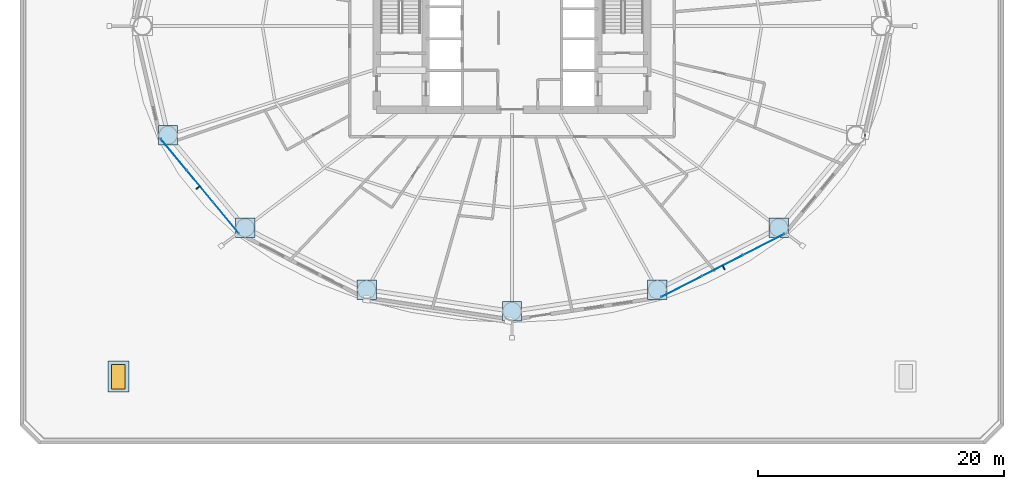
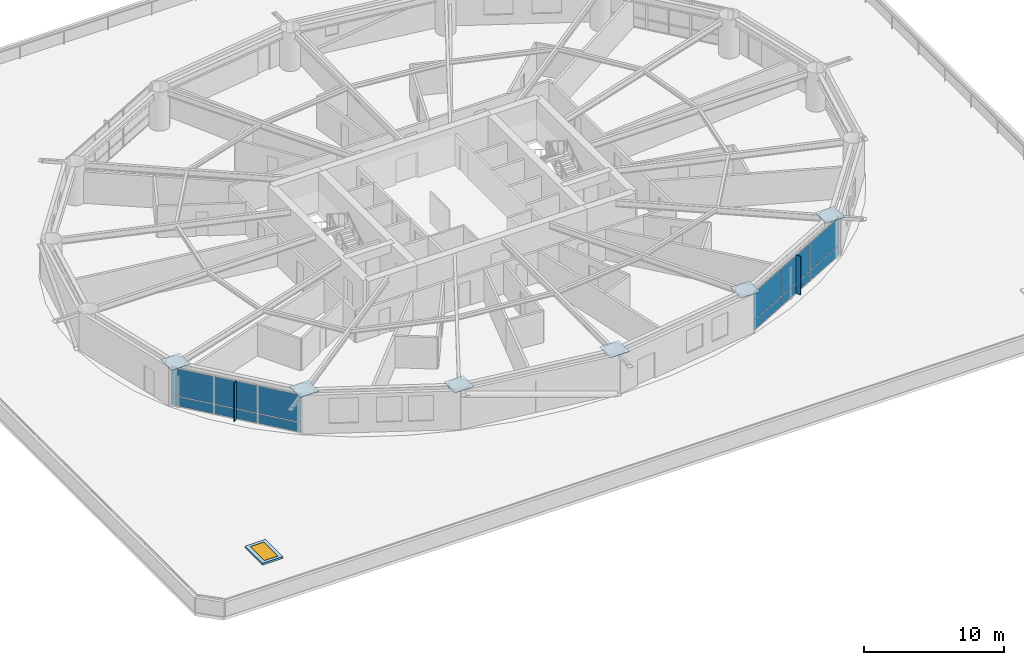
# One storey, part 16 of 30: 20 plates, 1 door, 1 member, 1 slab, 1 opening, 2 elements without a shape of their own.
"""IFC4 building model written with IfcOpenShell, lengths in metres."""

from ifc_helpers import new_model, si_unit, direction, frame, origin, origin_2d, place, context, subcontext, project, spatial, polyline, rectangle, hollow_rectangle, outline, extrude, material, layer, layer_set, material_profile, profile_set, type_object, element, fill, aggregate, save


model = new_model("IFC4")

# Units and contexts
model_context = context("Model", 3, precision=1e-05, world=origin(), true_north=direction((0.0, 1.0)))
body_context = subcontext(model_context, "Body", "Model", "MODEL_VIEW")
ifc_project = project(units=[si_unit("LENGTHUNIT", "METRE"), si_unit("AREAUNIT", "SQUARE_METRE"), si_unit("VOLUMEUNIT", "CUBIC_METRE"), si_unit("PLANEANGLEUNIT", "RADIAN"), si_unit("MASSUNIT", "GRAM", prefix="KILO")], contexts=[model_context])

# Site, building, storey
site_placement = place(None, origin())
site = spatial("IfcSite", under=ifc_project, at=site_placement, CompositionType="ELEMENT")
building_placement = place(site_placement, origin())
building = spatial("IfcBuilding", under=site, at=building_placement, Name="Sarneth Arch Tower", CompositionType="ELEMENT")
storey_placement = place(building_placement, frame((0.0, 0.0, 28.199951171875)))
storey = spatial("IfcBuildingStorey", under=building, at=storey_placement, Name="L05", CompositionType="ELEMENT", Elevation=28.199951171875)

# Member
ifc_material_1 = material(Name="Steel S355", Category="steel")
ifc_material_profile = material_profile(ifc_material_1, hollow_rectangle(XDim=0.199951171875, YDim=0.300048828125, WallThickness=0.012451171875, InnerFilletRadius=0.018798828125, OuterFilletRadius=0.03125, at=origin_2d()), Name="RHS300x200x12.5")
ifc_profile_set = profile_set([ifc_material_profile], Name="Steel S355")
member_type = type_object("IfcMemberType", Name="MEM-CANT-STRUT", PredefinedType="STRUT", material=ifc_profile_set)
member_placement = place(storey_placement, frame((76.640380859375, 33.1162109375, 3.0068359375), z_axis=(0.999972430314, -0.007425537849, 0.0), x_axis=(0.007425537849, 0.999972430314, 0.0)))
element("IfcMember", 1, at=member_placement, inside=storey, type_object=member_type, Name="L05 Exoskeleton brace node strut 16B", PredefinedType="STRUT", context=body_context, shape_type="SweptSolid", body=[
    extrude(hollow_rectangle(XDim=0.199951171875, YDim=0.300048828125, WallThickness=0.012451171875, InnerFilletRadius=0.018798828125, OuterFilletRadius=0.03125, at=origin_2d()), origin(), (0.0, 0.0, 1.0), 0.0986328125),
])

# Curtain wall, plates
ifc_material_2 = material(Name="Anodised aluminium Type AA25 and solar-control low-e laminated IGU", Category="aluminium")
ifc_layer_1 = layer(ifc_material_2, 0.159912109375)
ifc_layer_set_1 = layer_set([ifc_layer_1], Name="Anodised aluminium Type AA25 and solar-control low-e laminated IGU")
curtain_wall_type = type_object("IfcCurtainWallType", Name="CW-HOTEL-LOW", PredefinedType="NOTDEFINED", material=ifc_layer_set_1)
curtain_wall_1_placement = place(storey_placement, origin())
curtain_wall_1 = element("IfcCurtainWall", 2, at=curtain_wall_1_placement, inside=storey, type_object=curtain_wall_type, Name="L05 Unitised curtain wall facet 10", PredefinedType="NOTDEFINED")
ifc_material_3 = material(Name="Solar-control low-e laminated IGU", Category="glass")
ifc_layer_2 = layer(ifc_material_3, 0.028076171875)
ifc_layer_set_2 = layer_set([ifc_layer_2], Name="Solar-control low-e laminated IGU")
plate_type_1 = type_object("IfcPlateType", Name="CW-PANEL", PredefinedType="CURTAIN_PANEL", material=ifc_layer_set_2)
plate_1_placement = place(storey_placement, frame((20.496337890625, 31.558837890625, 0.06005859375), z_axis=(0.0, 0.0, 1.0), x_axis=(0.637291340827, -0.770622960278, 0.0)))
plate_1 = element("IfcPlate", 3, at=plate_1_placement, type_object=plate_type_1, Name="Curtain wall glazed vision pane CW-L05-F10/P00-00", PredefinedType="CURTAIN_PANEL", context=body_context, shape_type="SweptSolid", body=[
    extrude(rectangle(XDim=3.260986328125, YDim=0.028076171875, at=origin_2d()), origin(), (0.0, 0.0, 1.0), 0.81005859375),
])
plate_2_placement = place(storey_placement, frame((20.496337890625, 31.558837890625, 0.93017578125), z_axis=(0.0, 0.0, 1.0), x_axis=(0.637291340827, -0.770622960278, 0.0)))
plate_2 = element("IfcPlate", 4, at=plate_2_placement, type_object=plate_type_1, Name="Curtain wall glazed vision pane CW-L05-F10/P00-01", PredefinedType="CURTAIN_PANEL", context=body_context, shape_type="SweptSolid", body=[
    extrude(rectangle(XDim=3.260986328125, YDim=0.028076171875, at=origin_2d()), origin(), (0.0, 0.0, 1.0), 2.389892578125),
])
plate_3_placement = place(storey_placement, frame((22.62255859375, 28.98779296875, 0.06005859375), z_axis=(0.0, 0.0, 1.0), x_axis=(0.637291340827, -0.770622960278, 0.0)))
plate_3 = element("IfcPlate", 5, at=plate_3_placement, type_object=plate_type_1, Name="Curtain wall glazed vision pane CW-L05-F10/P01-00", PredefinedType="CURTAIN_PANEL", context=body_context, shape_type="SweptSolid", body=[
    extrude(rectangle(XDim=3.291015625, YDim=0.028076171875, at=origin_2d()), origin(), (0.0, 0.0, 1.0), 0.81005859375),
])
plate_4_placement = place(storey_placement, frame((22.62255859375, 28.98779296875, 0.93017578125), z_axis=(0.0, 0.0, 1.0), x_axis=(0.637291340827, -0.770622960278, 0.0)))
plate_4 = element("IfcPlate", 6, at=plate_4_placement, type_object=plate_type_1, Name="Curtain wall glazed vision pane CW-L05-F10/P01-01", PredefinedType="CURTAIN_PANEL", context=body_context, shape_type="SweptSolid", body=[
    extrude(rectangle(XDim=3.291015625, YDim=0.028076171875, at=origin_2d()), origin(), (0.0, 0.0, 1.0), 2.389892578125),
])
plate_5_placement = place(storey_placement, frame((24.74853515625, 26.4169921875, 0.06005859375), z_axis=(0.0, 0.0, 1.0), x_axis=(0.637291340827, -0.770622960278, 0.0)))
plate_5 = element("IfcPlate", 7, at=plate_5_placement, type_object=plate_type_1, Name="Curtain wall glazed vision pane CW-L05-F10/P02-00", PredefinedType="CURTAIN_PANEL", context=body_context, shape_type="SweptSolid", body=[
    extrude(rectangle(XDim=3.260986328125, YDim=0.028076171875, at=origin_2d()), origin(), (0.0, 0.0, 1.0), 0.81005859375),
])
plate_6_placement = place(storey_placement, frame((24.74853515625, 26.4169921875, 0.93017578125), z_axis=(0.0, 0.0, 1.0), x_axis=(0.637291340827, -0.770622960278, 0.0)))
plate_6 = element("IfcPlate", 8, at=plate_6_placement, type_object=plate_type_1, Name="Curtain wall glazed vision pane CW-L05-F10/P02-01", PredefinedType="CURTAIN_PANEL", context=body_context, shape_type="SweptSolid", body=[
    extrude(rectangle(XDim=3.260986328125, YDim=0.028076171875, at=origin_2d()), origin(), (0.0, 0.0, 1.0), 2.389892578125),
])
aggregate(curtain_wall_1, [plate_1, plate_2, plate_3, plate_4, plate_5, plate_6])

curtain_wall_2_placement = place(storey_placement, origin())
curtain_wall_2 = element("IfcCurtainWall", 9, at=curtain_wall_2_placement, inside=storey, type_object=curtain_wall_type, Name="L05 Unitised curtain wall facet 14", PredefinedType="NOTDEFINED")
plate_7_placement = place(storey_placement, frame((61.77392578125, 20.807373046875, 0.06005859375), z_axis=(0.0, 0.0, 1.0), x_axis=(0.889854100456, 0.456245197127, 0.0)))
plate_7 = element("IfcPlate", 10, at=plate_7_placement, type_object=plate_type_1, Name="Curtain wall glazed vision pane CW-L05-F14/P00-00", PredefinedType="CURTAIN_PANEL", context=body_context, shape_type="SweptSolid", body=[
    extrude(rectangle(XDim=3.69189453125, YDim=0.028076171875, at=origin_2d()), origin(), (0.0, 0.0, 1.0), 0.81005859375),
])
plate_8_placement = place(storey_placement, frame((61.77392578125, 20.807373046875, 0.93017578125), z_axis=(0.0, 0.0, 1.0), x_axis=(0.889854100456, 0.456245197127, 0.0)))
plate_8 = element("IfcPlate", 11, at=plate_8_placement, type_object=plate_type_1, Name="Curtain wall glazed vision pane CW-L05-F14/P00-01", PredefinedType="CURTAIN_PANEL", context=body_context, shape_type="SweptSolid", body=[
    extrude(rectangle(XDim=3.69189453125, YDim=0.028076171875, at=origin_2d()), origin(), (0.0, 0.0, 1.0), 2.389892578125),
])
plate_9_placement = place(storey_placement, frame((65.1259765625, 22.526123046875, 0.06005859375), z_axis=(0.0, 0.0, 1.0), x_axis=(0.889854100456, 0.456245197127, 0.0)))
plate_9 = element("IfcPlate", 12, at=plate_9_placement, type_object=plate_type_1, Name="Curtain wall glazed vision pane CW-L05-F14/P01-00", PredefinedType="CURTAIN_PANEL", context=body_context, shape_type="SweptSolid", body=[
    extrude(rectangle(XDim=3.721923828125, YDim=0.028076171875, at=origin_2d()), origin(), (0.0, 0.0, 1.0), 0.81005859375),
])
plate_10_placement = place(storey_placement, frame((65.1259765625, 22.526123046875, 0.93017578125), z_axis=(0.0, 0.0, 1.0), x_axis=(0.889854100456, 0.456245197127, 0.0)))
plate_10 = element("IfcPlate", 13, at=plate_10_placement, type_object=plate_type_1, Name="Curtain wall glazed vision pane CW-L05-F14/P01-01", PredefinedType="CURTAIN_PANEL", context=body_context, shape_type="SweptSolid", body=[
    extrude(rectangle(XDim=3.721923828125, YDim=0.028076171875, at=origin_2d()), origin(), (0.0, 0.0, 1.0), 2.389892578125),
])
plate_11_placement = place(storey_placement, frame((68.47802734375, 24.24462890625, 0.06005859375), z_axis=(0.0, 0.0, 1.0), x_axis=(0.889854100456, 0.456245197127, 0.0)))
plate_11 = element("IfcPlate", 14, at=plate_11_placement, type_object=plate_type_1, Name="Curtain wall glazed vision pane CW-L05-F14/P02-00", PredefinedType="CURTAIN_PANEL", context=body_context, shape_type="SweptSolid", body=[
    extrude(rectangle(XDim=3.69189453125, YDim=0.028076171875, at=origin_2d()), origin(), (0.0, 0.0, 1.0), 0.81005859375),
])
plate_12_placement = place(storey_placement, frame((68.47802734375, 24.24462890625, 0.93017578125), z_axis=(0.0, 0.0, 1.0), x_axis=(0.889854100456, 0.456245197127, 0.0)))
plate_12 = element("IfcPlate", 15, at=plate_12_placement, type_object=plate_type_1, Name="Curtain wall glazed vision pane CW-L05-F14/P02-01", PredefinedType="CURTAIN_PANEL", context=body_context, shape_type="SweptSolid", body=[
    extrude(rectangle(XDim=3.69189453125, YDim=0.028076171875, at=origin_2d()), origin(), (0.0, 0.0, 1.0), 2.389892578125),
])
aggregate(curtain_wall_2, [plate_7, plate_8, plate_9, plate_10, plate_11, plate_12])

# Plates
ifc_material_4 = material(Name="Steel S355", Category="steel")
ifc_layer_3 = layer(ifc_material_4, 0.0400390625)
ifc_layer_set_3 = layer_set([ifc_layer_3], Name="Steel S355")
plate_type_2 = type_object("IfcPlateType", Name="PLT-SPLICE-40", PredefinedType="SHEET", material=ifc_layer_set_3)
for number, where, z_axis, x_axis, name in (
    (16, (20.034423828125, 33.121826171875, 3.3623046875), (0.0, 0.0, 1.0), (1.0, 0.0, 0.0), "Steel end cap plate GP-2"),
    (17, (26.303466796875, 25.59521484375, 3.3623046875), (0.0, 0.0, 1.0), (1.0, 0.0, 0.0), "Steel end cap plate GP-2"),
    (18, (36.18212890625, 20.56591796875, 3.3623046875), (0.0, 0.0, 1.0), (1.0, 0.0, 0.0), "Steel end cap plate GP-2"),
    (19, (48.0, 18.800048828125, 3.3623046875), (0.0, 0.0, 1.0), (1.0, 0.0, 0.0), "Steel end cap plate GP-2"),
    (20, (59.81787109375, 20.56591796875, 3.3623046875), (0.0, 0.0, 1.0), (1.0, 0.0, 0.0), "Steel end cap plate GP-2"),
    (21, (69.696533203125, 25.59521484375, 3.3623046875), (0.0, 0.0, 1.0), (1.0, 0.0, 0.0), "Steel end cap plate GP-2"),
):
    element("IfcPlate", number, at=place(storey_placement, frame(where, z_axis=z_axis, x_axis=x_axis)), inside=storey, type_object=plate_type_2, Name=name, PredefinedType="SHEET", context=body_context, shape_type="SweptSolid", body=[
        extrude(rectangle(XDim=1.580078125, YDim=1.580078125, at=origin_2d()), origin(), (0.0, 0.0, 1.0), 0.035888671875),
    ])
ifc_material_5 = material(Name="Extruded glazed terracotta baguette fin on Aluminium 6063-T6 carrier", Category="masonry")
ifc_layer_4 = layer(ifc_material_5, 0.080078125)
ifc_layer_set_4 = layer_set([ifc_layer_4], Name="Extruded glazed terracotta baguette fin on Aluminium 6063-T6 carrier")
plate_type_3 = type_object("IfcPlateType", Name="SHADE-TERRA-FIN", PredefinedType="SHEET", material=ifc_layer_set_4)
for number, where, z_axis, x_axis, name in (
    (22, (22.491455078125, 28.879638671875, 0.009765625), (0.0, 0.0, 1.0), (-0.770624482513, -0.637289500111, 0.0), "L05 Terracotta vertical shading fin 10"),
    (23, (65.20361328125, 22.374755859375, 0.009765625), (0.0, 0.0, 1.0), (0.4563215909, -0.889814927768, 0.0), "L05 Terracotta vertical shading fin 14"),
):
    element("IfcPlate", number, at=place(storey_placement, frame(where, z_axis=z_axis, x_axis=x_axis)), inside=storey, type_object=plate_type_3, Name=name, PredefinedType="SHEET", context=body_context, shape_type="SweptSolid", body=[
        extrude(rectangle(XDim=0.419921875, YDim=0.080078125, at=origin_2d()), origin(), (0.0, 0.0, 1.0), 3.360107421875),
    ])

# Slab, opening, door
ifc_material_6 = material(Name="Concrete C50/60", Category="concrete")
ifc_layer_5 = layer(ifc_material_6, 0.159912109375)
ifc_layer_set_5 = layer_set([ifc_layer_5], Name="Concrete C50/60")
slab_type = type_object("IfcSlabType", Name="SLAB-KERB-160", PredefinedType="ROOF", material=ifc_layer_set_5)
slab_placement = place(storey_placement, origin())
slab = element("IfcSlab", 24, at=slab_placement, inside=storey, type_object=slab_type, Name="L05 Roof hatch upstand kerb HATCH-L05-1", PredefinedType="ROOF", context=body_context, shape_type="SweptSolid", body=[
    extrude(outline(polyline([(15.14990234375, 12.25), (16.85009765625, 12.25), (16.85009765625, 14.75), (15.14990234375, 14.75), (15.14990234375, 12.25)]), holes=[polyline([(15.449951171875, 12.5), (16.550048828125, 12.5), (16.550048828125, 14.5), (15.449951171875, 14.5), (15.449951171875, 12.5)])]), origin(), (0.0, 0.0, 1.0), 0.16015625),
])
opening_placement = place(slab_placement, frame((16.0, 13.5, 0.0)))
opening = element("IfcOpeningElement", 25, at=opening_placement, cuts=slab, Name="Opening RH-1", PredefinedType="OPENING", context=body_context, shape_type="SweptSolid", body=[
    extrude(rectangle(XDim=1.10009765625, YDim=2.0, at=origin_2d()), origin(), (0.0, 0.0, 1.0), 0.16015625),
])
ifc_material_7 = material(Name="Thermally broken Aluminium 6063-T6 and laminated safety glass", Category="aluminium")
door_type = type_object("IfcDoorType", Name="DR-ROOF-HATCH", OperationType="SINGLE_SWING_LEFT", PredefinedType="TRAPDOOR", material=ifc_material_7)
door_placement = place(opening_placement, frame((0.0, 0.0, 0.110107421875)))
door = element("IfcDoor", 26, at=door_placement, inside=storey, type_object=door_type, Name="L05 Maintenance Roof Access Hatch HATCH-L05-1", OperationType="SINGLE_SWING_LEFT", OverallHeight=2.0, OverallWidth=1.10009765625, PredefinedType="TRAPDOOR", context=body_context, shape_type="SweptSolid", body=[
    extrude(rectangle(XDim=1.10009765625, YDim=2.0, at=origin_2d()), origin(), (0.0, 0.0, 1.0), 0.050048828125),
])
fill(opening, door)

save(model, "model.ifc")
